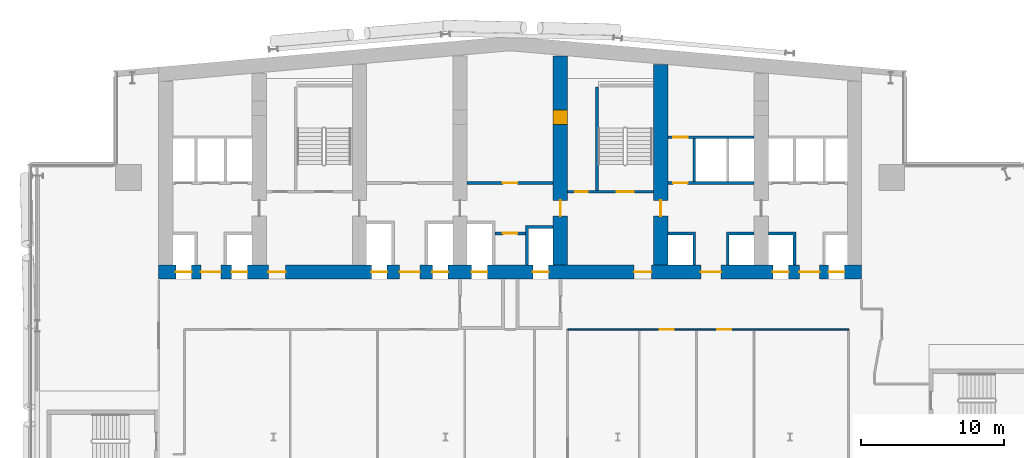
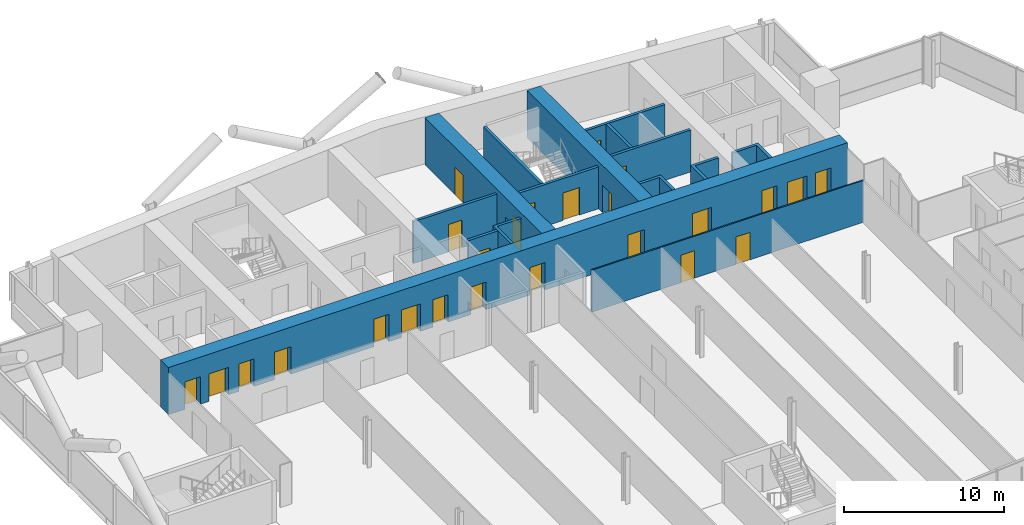
# One storey, part 16 of 25: 25 doors, 15 walls, 25 openings.
"""IFC4 building model written with IfcOpenShell, lengths in metres."""

from ifc_helpers import new_model, si_unit, direction, frame, frame_2d, origin, place, context, subcontext, project, spatial, polyline, rectangle, outline, extrude, material, layer, layer_set, type_object, element, fill, save


model = new_model("IFC4")

# Units and contexts
model_context = context("Model", 3, precision=1e-05, world=origin(), true_north=direction((0.0, 1.0)))
body_context = subcontext(model_context, "Body", "Model", "MODEL_VIEW")
ifc_project = project(units=[si_unit("LENGTHUNIT", "METRE"), si_unit("AREAUNIT", "SQUARE_METRE"), si_unit("VOLUMEUNIT", "CUBIC_METRE"), si_unit("PLANEANGLEUNIT", "RADIAN"), si_unit("MASSUNIT", "GRAM", prefix="KILO")], contexts=[model_context])

# Site, building, storey
site_placement = place(None, origin())
site = spatial("IfcSite", under=ifc_project, at=site_placement, CompositionType="ELEMENT")
building_placement = place(site_placement, origin())
building = spatial("IfcBuilding", under=site, at=building_placement, Name="Wharfspan Tower", CompositionType="ELEMENT")
storey_placement = place(building_placement, frame((0.0, 0.0, 121.899902)))
storey = spatial("IfcBuildingStorey", under=building, at=storey_placement, Name="L28", CompositionType="ELEMENT", Elevation=121.899902)

# Wall, openings, doors
ifc_material_1 = material(Name="Gypsum board on steel studs", Category="steel")
ifc_layer_1 = layer(ifc_material_1, 0.100098)
ifc_layer_set_1 = layer_set([ifc_layer_1], Name="Gypsum board on steel studs")
wall_type_1 = type_object("IfcWallType", Name="Compartment wall 100 EI 60", PredefinedType="PARTITIONING", material=ifc_layer_set_1)
wall_1_placement = place(storey_placement, frame((44.51001, 30.5, 0.0), z_axis=(0.0, 0.0, 1.0), x_axis=(1.0, 0.0, 0.0)))
wall_1 = element("IfcWall", 1, at=wall_1_placement, inside=storey, type_object=wall_type_1, Name="Partition L28.w014", PredefinedType="PARTITIONING", context=body_context, shape_type="SweptSolid", body=[
    extrude(rectangle(XDim=19.590088, YDim=0.100098, at=frame_2d((9.794922, 0.0))), origin(), (0.0, 0.0, 1.0), 3.200195),
])
opening_1_placement = place(wall_1_placement, frame((6.409912, 0.0, 0.0)))
opening_1 = element("IfcOpeningElement", 2, at=opening_1_placement, cuts=wall_1, Name="Opening B4-13", PredefinedType="OPENING", context=body_context, shape_type="SweptSolid", body=[
    extrude(rectangle(XDim=1.0, YDim=2.100098, at=frame_2d((0.5, 1.050049))), frame((0.0, 0.060059, 0.0), z_axis=(0.0, -1.0, 0.0), x_axis=(1.0, 0.0, 0.0)), (0.0, 0.0, 1.0), 0.120117),
])
opening_2_placement = place(wall_1_placement, frame((10.409912, 0.0, 0.0)))
opening_2 = element("IfcOpeningElement", 3, at=opening_2_placement, cuts=wall_1, Name="Opening B4-14", PredefinedType="OPENING", context=body_context, shape_type="SweptSolid", body=[
    extrude(rectangle(XDim=1.0, YDim=2.100098, at=frame_2d((0.5, 1.050049))), frame((0.0, 0.060059, 0.0), z_axis=(0.0, -1.0, 0.0), x_axis=(1.0, 0.0, 0.0)), (0.0, 0.0, 1.0), 0.120117),
])
ifc_material_2 = material(Name="Fire-rated timber door leaf in steel frame", Category="steel")
door_type_1 = type_object("IfcDoorType", Name="Door 1000 FD30S Left", OperationType="SINGLE_SWING_LEFT", PredefinedType="DOOR", material=ifc_material_2)
door_1_placement = place(opening_1_placement, origin())
door_1 = element("IfcDoor", 4, at=door_1_placement, inside=storey, type_object=door_type_1, Name="Door B4-13", OperationType="SINGLE_SWING_LEFT", OverallHeight=2.100098, OverallWidth=1.0, PredefinedType="DOOR", context=body_context, shape_type="SweptSolid", body=[
    extrude(rectangle(XDim=1.0, YDim=2.100098, at=frame_2d((0.5, 1.050049))), frame((0.0, 0.024902, 0.0), z_axis=(0.0, -1.0, 0.0), x_axis=(1.0, 0.0, 0.0)), (0.0, 0.0, 1.0), 0.050049),
])
fill(opening_1, door_1)
door_type_2 = type_object("IfcDoorType", Name="Door 1000 FD30S Right", OperationType="SINGLE_SWING_RIGHT", PredefinedType="DOOR", material=ifc_material_2)
door_2_placement = place(opening_2_placement, origin())
door_2 = element("IfcDoor", 5, at=door_2_placement, inside=storey, type_object=door_type_2, Name="Door B4-14", OperationType="SINGLE_SWING_RIGHT", OverallHeight=2.100098, OverallWidth=1.0, PredefinedType="DOOR", context=body_context, shape_type="SweptSolid", body=[
    extrude(rectangle(XDim=1.0, YDim=2.100098, at=frame_2d((0.5, 1.050049))), frame((0.0, 0.024902, 0.0), z_axis=(0.0, -1.0, 0.0), x_axis=(1.0, 0.0, 0.0)), (0.0, 0.0, 1.0), 0.050049),
])
fill(opening_2, door_2)

# Wall, opening, door
ifc_material_3 = material(Name="Calcium silicate masonry", Category="masonry")
ifc_layer_2 = layer(ifc_material_3, 0.199951)
ifc_layer_set_2 = layer_set([ifc_layer_2], Name="Calcium silicate masonry")
wall_type_2 = type_object("IfcWallType", Name="Core room wall 200", PredefinedType="PARTITIONING", material=ifc_layer_set_2)
wall_2_placement = place(storey_placement, frame((39.43335, 37.199951, 0.0), z_axis=(0.0, 0.0, 1.0), x_axis=(1.0, 0.0, 0.0)))
wall_2 = element("IfcWall", 6, at=wall_2_placement, inside=storey, type_object=wall_type_2, Name="sw:L28:FR4.2", PredefinedType="PARTITIONING", context=body_context, shape_type="SweptSolid", body=[
    extrude(rectangle(XDim=2.133301, YDim=0.199951, at=frame_2d((1.06665, 0.0))), origin(), (0.0, 0.0, 1.0), 3.200195),
])
opening_3_placement = place(wall_2_placement, frame((0.56665, 0.0, 0.0)))
opening_3 = element("IfcOpeningElement", 7, at=opening_3_placement, cuts=wall_2, Name="Opening CD28.4H2", PredefinedType="OPENING", context=body_context, shape_type="SweptSolid", body=[
    extrude(rectangle(XDim=1.0, YDim=2.100098, at=frame_2d((0.5, 1.050049))), frame((0.0, 0.109863, 0.0), z_axis=(0.0, -1.0, 0.0), x_axis=(1.0, 0.0, 0.0)), (0.0, 0.0, 1.0), 0.219971),
])
ifc_material_4 = material(Name="Steel door leaf", Category="steel")
door_type_3 = type_object("IfcDoorType", Name="Core room door 1000x2100", OperationType="SINGLE_SWING_LEFT", PredefinedType="DOOR", material=ifc_material_4)
door_3_placement = place(opening_3_placement, origin())
door_3 = element("IfcDoor", 8, at=door_3_placement, inside=storey, type_object=door_type_3, Name="d:L28:4:fh4.2", OperationType="SINGLE_SWING_RIGHT", OverallHeight=2.100098, OverallWidth=1.0, PredefinedType="DOOR", context=body_context, shape_type="SweptSolid", body=[
    extrude(rectangle(XDim=1.0, YDim=2.100098, at=frame_2d((0.5, 1.050049))), frame((0.0, 0.024902, 0.0), z_axis=(0.0, -1.0, 0.0), x_axis=(1.0, 0.0, 0.0)), (0.0, 0.0, 1.0), 0.050049),
])
fill(opening_3, door_3)

# Wall, openings, doors
ifc_material_5 = material(Name="Concrete C70/85", Category="concrete")
ifc_layer_3 = layer(ifc_material_5, 1.0)
ifc_layer_set_3 = layer_set([ifc_layer_3], Name="Concrete C70/85")
wall_type_3 = type_object("IfcWallType", Name="Core wall 1000 C70/85", PredefinedType="SHEAR", material=ifc_layer_set_3)
wall_3_placement = place(storey_placement, frame((16.0, 34.5, 0.0), z_axis=(0.0, 0.0, 1.0), x_axis=(1.0, 0.0, 0.0)))
wall_3 = element("IfcWall", 9, at=wall_3_placement, inside=storey, type_object=wall_type_3, Name="Core front wall L28", PredefinedType="SHEAR", context=body_context, shape_type="SweptSolid", body=[
    extrude(rectangle(XDim=49.0, YDim=1.0, at=frame_2d((24.5, 0.0))), origin(), (0.0, 0.0, 1.0), 3.600098),
])
opening_4_placement = place(wall_3_placement, frame((1.199951, 0.0, 0.0)))
opening_4 = element("IfcOpeningElement", 10, at=opening_4_placement, cuts=wall_3, Name="Opening LD.LA1.L28", PredefinedType="OPENING", context=body_context, shape_type="SweptSolid", body=[
    extrude(rectangle(XDim=1.100098, YDim=2.100098, at=frame_2d((0.550049, 1.050049))), frame((0.0, 0.51001, 0.0), z_axis=(0.0, -1.0, 0.0), x_axis=(1.0, 0.0, 0.0)), (0.0, 0.0, 1.0), 1.02002),
])
opening_5_placement = place(wall_3_placement, frame((5.083252, 0.0, 0.0)))
opening_5 = element("IfcOpeningElement", 11, at=opening_5_placement, cuts=wall_3, Name="Opening LD.LA2.L28", PredefinedType="OPENING", context=body_context, shape_type="SweptSolid", body=[
    extrude(rectangle(XDim=1.100098, YDim=2.100098, at=frame_2d((0.550049, 1.050049))), frame((0.0, 0.51001, 0.0), z_axis=(0.0, -1.0, 0.0), x_axis=(1.0, 0.0, 0.0)), (0.0, 0.0, 1.0), 1.02002),
])
opening_6_placement = place(wall_3_placement, frame((2.93335, 0.0, 0.0)))
opening_6 = element("IfcOpeningElement", 12, at=opening_6_placement, cuts=wall_3, Name="Opening HD28.1", PredefinedType="OPENING", context=body_context, shape_type="SweptSolid", body=[
    extrude(rectangle(XDim=1.399902, YDim=2.100098, at=frame_2d((0.699951, 1.050049))), frame((0.0, 0.51001, 0.0), z_axis=(0.0, -1.0, 0.0), x_axis=(1.0, 0.0, 0.0)), (0.0, 0.0, 1.0), 1.02002),
])
opening_7_placement = place(wall_3_placement, frame((7.649902, 0.0, 0.0)))
opening_7 = element("IfcOpeningElement", 13, at=opening_7_placement, cuts=wall_3, Name="Opening SV2.L28", PredefinedType="OPENING", context=body_context, shape_type="SweptSolid", body=[
    extrude(rectangle(XDim=1.199951, YDim=2.100098, at=frame_2d((0.600098, 1.050049))), frame((0.0, 0.51001, 0.0), z_axis=(0.0, -1.0, 0.0), x_axis=(1.0, 0.0, 0.0)), (0.0, 0.0, 1.0), 1.02002),
])
opening_8_placement = place(wall_3_placement, frame((14.81665, 0.0, 0.0)))
opening_8 = element("IfcOpeningElement", 14, at=opening_8_placement, cuts=wall_3, Name="Opening LD.SL1.L28", PredefinedType="OPENING", context=body_context, shape_type="SweptSolid", body=[
    extrude(rectangle(XDim=1.100098, YDim=2.100098, at=frame_2d((0.550049, 1.050049))), frame((0.0, 0.51001, 0.0), z_axis=(0.0, -1.0, 0.0), x_axis=(1.0, 0.0, 0.0)), (0.0, 0.0, 1.0), 1.02002),
])
opening_9_placement = place(wall_3_placement, frame((19.083252, 0.0, 0.0)))
opening_9 = element("IfcOpeningElement", 15, at=opening_9_placement, cuts=wall_3, Name="Opening LD.SL2.L28", PredefinedType="OPENING", context=body_context, shape_type="SweptSolid", body=[
    extrude(rectangle(XDim=1.100098, YDim=2.100098, at=frame_2d((0.550049, 1.050049))), frame((0.0, 0.51001, 0.0), z_axis=(0.0, -1.0, 0.0), x_axis=(1.0, 0.0, 0.0)), (0.0, 0.0, 1.0), 1.02002),
])
opening_10_placement = place(wall_3_placement, frame((16.800049, 0.0, 0.0)))
opening_10 = element("IfcOpeningElement", 16, at=opening_10_placement, cuts=wall_3, Name="Opening HD28.3", PredefinedType="OPENING", context=body_context, shape_type="SweptSolid", body=[
    extrude(rectangle(XDim=1.399902, YDim=2.100098, at=frame_2d((0.699951, 1.050049))), frame((0.0, 0.51001, 0.0), z_axis=(0.0, -1.0, 0.0), x_axis=(1.0, 0.0, 0.0)), (0.0, 0.0, 1.0), 1.02002),
])
opening_11_placement = place(wall_3_placement, frame((21.81665, 0.0, 0.0)))
opening_11 = element("IfcOpeningElement", 17, at=opening_11_placement, cuts=wall_3, Name="Opening LD.FF1.L28", PredefinedType="OPENING", context=body_context, shape_type="SweptSolid", body=[
    extrude(rectangle(XDim=1.100098, YDim=2.100098, at=frame_2d((0.550049, 1.050049))), frame((0.0, 0.51001, 0.0), z_axis=(0.0, -1.0, 0.0), x_axis=(1.0, 0.0, 0.0)), (0.0, 0.0, 1.0), 1.02002),
])
opening_12_placement = place(wall_3_placement, frame((26.083252, 0.0, 0.0)))
opening_12 = element("IfcOpeningElement", 18, at=opening_12_placement, cuts=wall_3, Name="Opening LD.FF2.L28", PredefinedType="OPENING", context=body_context, shape_type="SweptSolid", body=[
    extrude(rectangle(XDim=1.100098, YDim=2.100098, at=frame_2d((0.550049, 1.050049))), frame((0.0, 0.51001, 0.0), z_axis=(0.0, -1.0, 0.0), x_axis=(1.0, 0.0, 0.0)), (0.0, 0.0, 1.0), 1.02002),
])
opening_13_placement = place(wall_3_placement, frame((33.149902, 0.0, 0.0)))
opening_13 = element("IfcOpeningElement", 19, at=opening_13_placement, cuts=wall_3, Name="Opening SV5.L28", PredefinedType="OPENING", context=body_context, shape_type="SweptSolid", body=[
    extrude(rectangle(XDim=1.199951, YDim=2.100098, at=frame_2d((0.600098, 1.050049))), frame((0.0, 0.51001, 0.0), z_axis=(0.0, -1.0, 0.0), x_axis=(1.0, 0.0, 0.0)), (0.0, 0.0, 1.0), 1.02002),
])
opening_14_placement = place(wall_3_placement, frame((37.800049, 0.0, 0.0)))
opening_14 = element("IfcOpeningElement", 20, at=opening_14_placement, cuts=wall_3, Name="Opening HD28.6", PredefinedType="OPENING", context=body_context, shape_type="SweptSolid", body=[
    extrude(rectangle(XDim=1.399902, YDim=2.100098, at=frame_2d((0.699951, 1.050049))), frame((0.0, 0.51001, 0.0), z_axis=(0.0, -1.0, 0.0), x_axis=(1.0, 0.0, 0.0)), (0.0, 0.0, 1.0), 1.02002),
])
opening_15_placement = place(wall_3_placement, frame((42.81665, 0.0, 0.0)))
opening_15 = element("IfcOpeningElement", 21, at=opening_15_placement, cuts=wall_3, Name="Opening LD.LA6.L28", PredefinedType="OPENING", context=body_context, shape_type="SweptSolid", body=[
    extrude(rectangle(XDim=1.100098, YDim=2.100098, at=frame_2d((0.550049, 1.050049))), frame((0.0, 0.51001, 0.0), z_axis=(0.0, -1.0, 0.0), x_axis=(1.0, 0.0, 0.0)), (0.0, 0.0, 1.0), 1.02002),
])
opening_16_placement = place(wall_3_placement, frame((46.699951, 0.0, 0.0)))
opening_16 = element("IfcOpeningElement", 22, at=opening_16_placement, cuts=wall_3, Name="Opening LD.LA7.L28", PredefinedType="OPENING", context=body_context, shape_type="SweptSolid", body=[
    extrude(rectangle(XDim=1.100098, YDim=2.100098, at=frame_2d((0.550049, 1.050049))), frame((0.0, 0.51001, 0.0), z_axis=(0.0, -1.0, 0.0), x_axis=(1.0, 0.0, 0.0)), (0.0, 0.0, 1.0), 1.02002),
])
opening_17_placement = place(wall_3_placement, frame((44.666748, 0.0, 0.0)))
opening_17 = element("IfcOpeningElement", 23, at=opening_17_placement, cuts=wall_3, Name="Opening HD28.7", PredefinedType="OPENING", context=body_context, shape_type="SweptSolid", body=[
    extrude(rectangle(XDim=1.399902, YDim=2.100098, at=frame_2d((0.699951, 1.050049))), frame((0.0, 0.51001, 0.0), z_axis=(0.0, -1.0, 0.0), x_axis=(1.0, 0.0, 0.0)), (0.0, 0.0, 1.0), 1.02002),
])
door_type_4 = type_object("IfcDoorType", Name="Hall entry door 1400x2100", OperationType="DOUBLE_DOOR_SINGLE_SWING", PredefinedType="DOOR", material=ifc_material_4)
door_4_placement = place(opening_6_placement, origin())
door_4 = element("IfcDoor", 24, at=door_4_placement, inside=storey, type_object=door_type_4, Name="d:L28:1:hd1", OperationType="DOUBLE_DOOR_SINGLE_SWING", OverallHeight=2.100098, OverallWidth=1.399902, PredefinedType="DOOR", context=body_context, shape_type="SweptSolid", body=[
    extrude(rectangle(XDim=1.399902, YDim=2.100098, at=frame_2d((0.699951, 1.050049))), frame((0.0, 0.024902, 0.0), z_axis=(0.0, -1.0, 0.0), x_axis=(1.0, 0.0, 0.0)), (0.0, 0.0, 1.0), 0.050049),
])
fill(opening_6, door_4)
door_5_placement = place(opening_10_placement, origin())
door_5 = element("IfcDoor", 25, at=door_5_placement, inside=storey, type_object=door_type_4, Name="d:L28:3:hd3", OperationType="DOUBLE_DOOR_SINGLE_SWING", OverallHeight=2.100098, OverallWidth=1.399902, PredefinedType="DOOR", context=body_context, shape_type="SweptSolid", body=[
    extrude(rectangle(XDim=1.399902, YDim=2.100098, at=frame_2d((0.699951, 1.050049))), frame((0.0, 0.024902, 0.0), z_axis=(0.0, -1.0, 0.0), x_axis=(1.0, 0.0, 0.0)), (0.0, 0.0, 1.0), 0.050049),
])
fill(opening_10, door_5)
door_6_placement = place(opening_14_placement, origin())
door_6 = element("IfcDoor", 26, at=door_6_placement, inside=storey, type_object=door_type_4, Name="d:L28:6:hd6", OperationType="DOUBLE_DOOR_SINGLE_SWING", OverallHeight=2.100098, OverallWidth=1.399902, PredefinedType="DOOR", context=body_context, shape_type="SweptSolid", body=[
    extrude(rectangle(XDim=1.399902, YDim=2.100098, at=frame_2d((0.699951, 1.050049))), frame((0.0, 0.024902, 0.0), z_axis=(0.0, -1.0, 0.0), x_axis=(1.0, 0.0, 0.0)), (0.0, 0.0, 1.0), 0.050049),
])
fill(opening_14, door_6)
door_7_placement = place(opening_17_placement, origin())
door_7 = element("IfcDoor", 27, at=door_7_placement, inside=storey, type_object=door_type_4, Name="d:L28:7:hd7", OperationType="DOUBLE_DOOR_SINGLE_SWING", OverallHeight=2.100098, OverallWidth=1.399902, PredefinedType="DOOR", context=body_context, shape_type="SweptSolid", body=[
    extrude(rectangle(XDim=1.399902, YDim=2.100098, at=frame_2d((0.699951, 1.050049))), frame((0.0, 0.024902, 0.0), z_axis=(0.0, -1.0, 0.0), x_axis=(1.0, 0.0, 0.0)), (0.0, 0.0, 1.0), 0.050049),
])
fill(opening_17, door_7)
ifc_material_6 = material(Name="Stainless steel", Category="steel")
door_type_5 = type_object("IfcDoorType", Name="Lift landing door 1100x2100", OperationType="DOUBLE_DOOR_SLIDING", PredefinedType="DOOR", material=ifc_material_6)
door_8_placement = place(opening_4_placement, origin())
door_8 = element("IfcDoor", 28, at=door_8_placement, inside=storey, type_object=door_type_5, Name="Landing door LA1 L28", OperationType="DOUBLE_DOOR_SLIDING", OverallHeight=2.100098, OverallWidth=1.100098, PredefinedType="DOOR", context=body_context, shape_type="SweptSolid", body=[
    extrude(rectangle(XDim=1.100098, YDim=2.100098, at=frame_2d((0.550049, 1.050049))), frame((0.0, 0.024902, 0.0), z_axis=(0.0, -1.0, 0.0), x_axis=(1.0, 0.0, 0.0)), (0.0, 0.0, 1.0), 0.050049),
])
fill(opening_4, door_8)
door_9_placement = place(opening_5_placement, origin())
door_9 = element("IfcDoor", 29, at=door_9_placement, inside=storey, type_object=door_type_5, Name="Landing door LA2 L28", OperationType="DOUBLE_DOOR_SLIDING", OverallHeight=2.100098, OverallWidth=1.100098, PredefinedType="DOOR", context=body_context, shape_type="SweptSolid", body=[
    extrude(rectangle(XDim=1.100098, YDim=2.100098, at=frame_2d((0.550049, 1.050049))), frame((0.0, 0.024902, 0.0), z_axis=(0.0, -1.0, 0.0), x_axis=(1.0, 0.0, 0.0)), (0.0, 0.0, 1.0), 0.050049),
])
fill(opening_5, door_9)
door_10_placement = place(opening_8_placement, origin())
door_10 = element("IfcDoor", 30, at=door_10_placement, inside=storey, type_object=door_type_5, Name="Landing door SL1 L28", OperationType="DOUBLE_DOOR_SLIDING", OverallHeight=2.100098, OverallWidth=1.100098, PredefinedType="DOOR", context=body_context, shape_type="SweptSolid", body=[
    extrude(rectangle(XDim=1.100098, YDim=2.100098, at=frame_2d((0.550049, 1.050049))), frame((0.0, 0.024902, 0.0), z_axis=(0.0, -1.0, 0.0), x_axis=(1.0, 0.0, 0.0)), (0.0, 0.0, 1.0), 0.050049),
])
fill(opening_8, door_10)
door_11_placement = place(opening_9_placement, origin())
door_11 = element("IfcDoor", 31, at=door_11_placement, inside=storey, type_object=door_type_5, Name="Landing door SL2 L28", OperationType="DOUBLE_DOOR_SLIDING", OverallHeight=2.100098, OverallWidth=1.100098, PredefinedType="DOOR", context=body_context, shape_type="SweptSolid", body=[
    extrude(rectangle(XDim=1.100098, YDim=2.100098, at=frame_2d((0.550049, 1.050049))), frame((0.0, 0.024902, 0.0), z_axis=(0.0, -1.0, 0.0), x_axis=(1.0, 0.0, 0.0)), (0.0, 0.0, 1.0), 0.050049),
])
fill(opening_9, door_11)
door_12_placement = place(opening_11_placement, origin())
door_12 = element("IfcDoor", 32, at=door_12_placement, inside=storey, type_object=door_type_5, Name="Landing door FF1 L28", OperationType="DOUBLE_DOOR_SLIDING", OverallHeight=2.100098, OverallWidth=1.100098, PredefinedType="DOOR", context=body_context, shape_type="SweptSolid", body=[
    extrude(rectangle(XDim=1.100098, YDim=2.100098, at=frame_2d((0.550049, 1.050049))), frame((0.0, 0.024902, 0.0), z_axis=(0.0, -1.0, 0.0), x_axis=(1.0, 0.0, 0.0)), (0.0, 0.0, 1.0), 0.050049),
])
fill(opening_11, door_12)
door_13_placement = place(opening_12_placement, origin())
door_13 = element("IfcDoor", 33, at=door_13_placement, inside=storey, type_object=door_type_5, Name="Landing door FF2 L28", OperationType="DOUBLE_DOOR_SLIDING", OverallHeight=2.100098, OverallWidth=1.100098, PredefinedType="DOOR", context=body_context, shape_type="SweptSolid", body=[
    extrude(rectangle(XDim=1.100098, YDim=2.100098, at=frame_2d((0.550049, 1.050049))), frame((0.0, 0.024902, 0.0), z_axis=(0.0, -1.0, 0.0), x_axis=(1.0, 0.0, 0.0)), (0.0, 0.0, 1.0), 0.050049),
])
fill(opening_12, door_13)
door_14_placement = place(opening_15_placement, origin())
door_14 = element("IfcDoor", 34, at=door_14_placement, inside=storey, type_object=door_type_5, Name="Landing door LA6 L28", OperationType="DOUBLE_DOOR_SLIDING", OverallHeight=2.100098, OverallWidth=1.100098, PredefinedType="DOOR", context=body_context, shape_type="SweptSolid", body=[
    extrude(rectangle(XDim=1.100098, YDim=2.100098, at=frame_2d((0.550049, 1.050049))), frame((0.0, 0.024902, 0.0), z_axis=(0.0, -1.0, 0.0), x_axis=(1.0, 0.0, 0.0)), (0.0, 0.0, 1.0), 0.050049),
])
fill(opening_15, door_14)
door_15_placement = place(opening_16_placement, origin())
door_15 = element("IfcDoor", 35, at=door_15_placement, inside=storey, type_object=door_type_5, Name="Landing door LA7 L28", OperationType="DOUBLE_DOOR_SLIDING", OverallHeight=2.100098, OverallWidth=1.100098, PredefinedType="DOOR", context=body_context, shape_type="SweptSolid", body=[
    extrude(rectangle(XDim=1.100098, YDim=2.100098, at=frame_2d((0.550049, 1.050049))), frame((0.0, 0.024902, 0.0), z_axis=(0.0, -1.0, 0.0), x_axis=(1.0, 0.0, 0.0)), (0.0, 0.0, 1.0), 0.050049),
])
fill(opening_16, door_15)
door_type_6 = type_object("IfcDoorType", Name="Stair door 1200x2100", OperationType="SINGLE_SWING_LEFT", PredefinedType="DOOR", material=ifc_material_4)
door_16_placement = place(opening_7_placement, origin())
door_16 = element("IfcDoor", 36, at=door_16_placement, inside=storey, type_object=door_type_6, Name="vd:L28:2", OperationType="SINGLE_SWING_LEFT", OverallHeight=2.100098, OverallWidth=1.199951, PredefinedType="DOOR", context=body_context, shape_type="SweptSolid", body=[
    extrude(rectangle(XDim=1.199951, YDim=2.100098, at=frame_2d((0.600098, 1.050049))), frame((0.0, 0.024902, 0.0), z_axis=(0.0, -1.0, 0.0), x_axis=(1.0, 0.0, 0.0)), (0.0, 0.0, 1.0), 0.050049),
])
fill(opening_7, door_16)
door_17_placement = place(opening_13_placement, origin())
door_17 = element("IfcDoor", 37, at=door_17_placement, inside=storey, type_object=door_type_6, Name="vd:L28:5", OperationType="SINGLE_SWING_LEFT", OverallHeight=2.100098, OverallWidth=1.199951, PredefinedType="DOOR", context=body_context, shape_type="SweptSolid", body=[
    extrude(rectangle(XDim=1.199951, YDim=2.100098, at=frame_2d((0.600098, 1.050049))), frame((0.0, 0.024902, 0.0), z_axis=(0.0, -1.0, 0.0), x_axis=(1.0, 0.0, 0.0)), (0.0, 0.0, 1.0), 0.050049),
])
fill(opening_13, door_17)

wall_4_placement = place(storey_placement, frame((44.0, 35.0, 0.0), z_axis=(0.0, 0.0, 1.0), x_axis=(0.0, 1.0, 0.0)))
wall_4 = element("IfcWall", 38, at=wall_4_placement, inside=storey, type_object=wall_type_3, Name="Core cross wall X5 L28", PredefinedType="SHEAR", context=body_context, shape_type="SweptSolid", body=[
    extrude(rectangle(XDim=14.577148, YDim=1.0, at=frame_2d((7.288574, 0.0))), origin(), (0.0, 0.0, 1.0), 3.600098),
])
opening_18_placement = place(wall_4_placement, frame((3.399902, 0.0, 0.0)))
opening_18 = element("IfcOpeningElement", 39, at=opening_18_placement, cuts=wall_4, Name="Opening CC28.5", PredefinedType="OPENING", context=body_context, shape_type="SweptSolid", body=[
    extrude(rectangle(XDim=1.100098, YDim=2.100098, at=frame_2d((0.550049, 1.050049))), frame((0.0, 0.51001, 0.0), z_axis=(0.0, -1.0, 0.0), x_axis=(1.0, 0.0, 0.0)), (0.0, 0.0, 1.0), 1.02002),
])
opening_19_placement = place(wall_4_placement, frame((9.800049, 0.0, 0.0)))
opening_19 = element("IfcOpeningElement", 40, at=opening_19_placement, cuts=wall_4, Name="Opening CR28.5", PredefinedType="OPENING", context=body_context, shape_type="SweptSolid", body=[
    extrude(rectangle(XDim=1.0, YDim=2.100098, at=frame_2d((0.5, 1.050049))), frame((0.0, 0.51001, 0.0), z_axis=(0.0, -1.0, 0.0), x_axis=(1.0, 0.0, 0.0)), (0.0, 0.0, 1.0), 1.02002),
])
door_type_7 = type_object("IfcDoorType", Name="Core corridor door 1100x2100", OperationType="SINGLE_SWING_LEFT", PredefinedType="DOOR", material=ifc_material_4)
door_18_placement = place(opening_18_placement, origin())
door_18 = element("IfcDoor", 41, at=door_18_placement, inside=storey, type_object=door_type_7, Name="xd:L28:5", OperationType="SINGLE_SWING_LEFT", OverallHeight=2.100098, OverallWidth=1.100098, PredefinedType="DOOR", context=body_context, shape_type="SweptSolid", body=[
    extrude(rectangle(XDim=1.100098, YDim=2.100098, at=frame_2d((0.550049, 1.050049))), frame((0.0, 0.024902, 0.0), z_axis=(0.0, -1.0, 0.0), x_axis=(1.0, 0.0, 0.0)), (0.0, 0.0, 1.0), 0.050049),
])
fill(opening_18, door_18)
door_19_placement = place(opening_19_placement, origin())
door_19 = element("IfcDoor", 42, at=door_19_placement, inside=storey, type_object=door_type_3, Name="xr:L28:5", OperationType="SINGLE_SWING_RIGHT", OverallHeight=2.100098, OverallWidth=1.0, PredefinedType="DOOR", context=body_context, shape_type="SweptSolid", body=[
    extrude(rectangle(XDim=1.0, YDim=2.100098, at=frame_2d((0.5, 1.050049))), frame((0.0, 0.499756, 0.0), z_axis=(0.0, -1.0, 0.0), x_axis=(1.0, 0.0, 0.0)), (0.0, 0.0, 1.0), 0.999512),
])
fill(opening_19, door_19)

# Wall, opening, door
wall_5_placement = place(storey_placement, frame((51.0, 35.0, 0.0), z_axis=(0.0, 0.0, 1.0), x_axis=(0.0, 1.0, 0.0)))
wall_5 = element("IfcWall", 43, at=wall_5_placement, inside=storey, type_object=wall_type_3, Name="Core cross wall X6 L28", PredefinedType="SHEAR", context=body_context, shape_type="SweptSolid", body=[
    extrude(rectangle(XDim=13.9646, YDim=1.0, at=frame_2d((6.982422, 0.0))), origin(), (0.0, 0.0, 1.0), 3.600098),
])
opening_20_placement = place(wall_5_placement, frame((3.399902, 0.0, 0.0)))
opening_20 = element("IfcOpeningElement", 44, at=opening_20_placement, cuts=wall_5, Name="Opening CC28.6", PredefinedType="OPENING", context=body_context, shape_type="SweptSolid", body=[
    extrude(rectangle(XDim=1.100098, YDim=2.100098, at=frame_2d((0.550049, 1.050049))), frame((0.0, 0.51001, 0.0), z_axis=(0.0, -1.0, 0.0), x_axis=(1.0, 0.0, 0.0)), (0.0, 0.0, 1.0), 1.02002),
])
door_20_placement = place(opening_20_placement, origin())
door_20 = element("IfcDoor", 45, at=door_20_placement, inside=storey, type_object=door_type_7, Name="xd:L28:6", OperationType="SINGLE_SWING_RIGHT", OverallHeight=2.100098, OverallWidth=1.100098, PredefinedType="DOOR", context=body_context, shape_type="SweptSolid", body=[
    extrude(rectangle(XDim=1.100098, YDim=2.100098, at=frame_2d((0.550049, 1.050049))), frame((0.0, 0.024902, 0.0), z_axis=(0.0, -1.0, 0.0), x_axis=(1.0, 0.0, 0.0)), (0.0, 0.0, 1.0), 0.050049),
])
fill(opening_20, door_20)

ifc_material_7 = material(Name="Concrete C30/37", Category="concrete")
ifc_layer_4 = layer(ifc_material_7, 0.199951)
ifc_layer_set_4 = layer_set([ifc_layer_4], Name="Concrete C30/37")
wall_type_4 = type_object("IfcWallType", Name="Lift shaft wall 200", PredefinedType="PARTITIONING", material=ifc_layer_set_4)
wall_6_placement = place(storey_placement, frame((37.5, 40.699951, 0.0), z_axis=(0.0, 0.0, 1.0), x_axis=(1.0, 0.0, 0.0)))
wall_6 = element("IfcWall", 46, at=wall_6_placement, inside=storey, type_object=wall_type_4, Name="sw:L28:RF4", PredefinedType="PARTITIONING", context=body_context, shape_type="SweptSolid", body=[
    extrude(rectangle(XDim=6.0, YDim=0.199951, at=frame_2d((3.0, 0.0))), origin(), (0.0, 0.0, 1.0), 3.200195),
])
opening_21_placement = place(wall_6_placement, frame((2.5, 0.0, 0.0)))
opening_21 = element("IfcOpeningElement", 47, at=opening_21_placement, cuts=wall_6, Name="Opening CD28.4S", PredefinedType="OPENING", context=body_context, shape_type="SweptSolid", body=[
    extrude(rectangle(XDim=1.0, YDim=2.100098, at=frame_2d((0.5, 1.050049))), frame((0.0, 0.109863, 0.0), z_axis=(0.0, -1.0, 0.0), x_axis=(1.0, 0.0, 0.0)), (0.0, 0.0, 1.0), 0.219971),
])
door_21_placement = place(opening_21_placement, origin())
door_21 = element("IfcDoor", 48, at=door_21_placement, inside=storey, type_object=door_type_3, Name="d:L28:4:sf", OperationType="SINGLE_SWING_LEFT", OverallHeight=2.100098, OverallWidth=1.0, PredefinedType="DOOR", context=body_context, shape_type="SweptSolid", body=[
    extrude(rectangle(XDim=1.0, YDim=2.100098, at=frame_2d((0.5, 1.050049))), frame((0.0, 0.024902, 0.0), z_axis=(0.0, -1.0, 0.0), x_axis=(1.0, 0.0, 0.0)), (0.0, 0.0, 1.0), 0.050049),
])
fill(opening_21, door_21)

# Wall
wall_7_placement = place(storey_placement, origin())
element("IfcWall", 49, at=wall_7_placement, inside=storey, type_object=wall_type_4, Name="sw:L28:FM4.0", PredefinedType="PARTITIONING", context=body_context, shape_type="SweptSolid", body=[
    extrude(outline(polyline([(41.56665, 37.75), (41.766602, 37.75), (43.5, 37.75), (43.5, 37.550049), (41.766602, 37.550049), (41.766602, 35.0), (41.56665, 35.0), (41.56665, 37.75)])), origin(), (0.0, 0.0, 1.0), 3.200195),
])

# Wall, opening, door
wall_8_placement = place(storey_placement, frame((51.5, 40.699951, 0.0), z_axis=(0.0, 0.0, 1.0), x_axis=(1.0, 0.0, 0.0)))
wall_8 = element("IfcWall", 50, at=wall_8_placement, inside=storey, type_object=wall_type_4, Name="sw:L28:RF6", PredefinedType="PARTITIONING", context=body_context, shape_type="SweptSolid", body=[
    extrude(rectangle(XDim=6.0, YDim=0.199951, at=frame_2d((3.0, 0.0))), origin(), (0.0, 0.0, 1.0), 3.200195),
])
opening_22_placement = place(wall_8_placement, frame((0.366699, 0.0, 0.0)))
opening_22 = element("IfcOpeningElement", 51, at=opening_22_placement, cuts=wall_8, Name="Opening CD28.6R1", PredefinedType="OPENING", context=body_context, shape_type="SweptSolid", body=[
    extrude(rectangle(XDim=1.0, YDim=2.100098, at=frame_2d((0.5, 1.050049))), frame((0.0, 0.109863, 0.0), z_axis=(0.0, -1.0, 0.0), x_axis=(1.0, 0.0, 0.0)), (0.0, 0.0, 1.0), 0.219971),
])
door_22_placement = place(opening_22_placement, origin())
door_22 = element("IfcDoor", 52, at=door_22_placement, inside=storey, type_object=door_type_3, Name="d:L28:6:rd6.1", OperationType="SINGLE_SWING_RIGHT", OverallHeight=2.100098, OverallWidth=1.0, PredefinedType="DOOR", context=body_context, shape_type="SweptSolid", body=[
    extrude(rectangle(XDim=1.0, YDim=2.100098, at=frame_2d((0.5, 1.050049))), frame((0.0, 0.024902, 0.0), z_axis=(0.0, -1.0, 0.0), x_axis=(1.0, 0.0, 0.0)), (0.0, 0.0, 1.0), 0.050049),
])
fill(opening_22, door_22)

wall_9_placement = place(storey_placement, frame((51.5, 43.899902, 0.0), z_axis=(0.0, 0.0, 1.0), x_axis=(1.0, 0.0, 0.0)))
wall_9 = element("IfcWall", 53, at=wall_9_placement, inside=storey, type_object=wall_type_4, Name="sw:L28:RR6", PredefinedType="PARTITIONING", context=body_context, shape_type="SweptSolid", body=[
    extrude(rectangle(XDim=6.0, YDim=0.199951, at=frame_2d((3.0, 0.0))), origin(), (0.0, 0.0, 1.0), 3.200195),
])
opening_23_placement = place(wall_9_placement, frame((0.366699, 0.0, 0.0)))
opening_23 = element("IfcOpeningElement", 54, at=opening_23_placement, cuts=wall_9, Name="Opening CD28.6S1", PredefinedType="OPENING", context=body_context, shape_type="SweptSolid", body=[
    extrude(rectangle(XDim=1.0, YDim=2.100098, at=frame_2d((0.5, 1.050049))), frame((0.0, 0.109863, 0.0), z_axis=(0.0, -1.0, 0.0), x_axis=(1.0, 0.0, 0.0)), (0.0, 0.0, 1.0), 0.219971),
])
door_23_placement = place(opening_23_placement, origin())
door_23 = element("IfcDoor", 55, at=door_23_placement, inside=storey, type_object=door_type_3, Name="d:L28:6:rs6.1", OperationType="SINGLE_SWING_LEFT", OverallHeight=2.100098, OverallWidth=1.0, PredefinedType="DOOR", context=body_context, shape_type="SweptSolid", body=[
    extrude(rectangle(XDim=1.0, YDim=2.100098, at=frame_2d((0.5, 1.050049))), frame((0.0, 0.024902, 0.0), z_axis=(0.0, -1.0, 0.0), x_axis=(1.0, 0.0, 0.0)), (0.0, 0.0, 1.0), 0.050049),
])
fill(opening_23, door_23)

# Walls
wall_10_placement = place(storey_placement, origin())
element("IfcWall", 56, at=wall_10_placement, inside=storey, type_object=wall_type_4, Name="sw:L28:FM6.0", PredefinedType="PARTITIONING", context=body_context, shape_type="SweptSolid", body=[
    extrude(outline(polyline([(53.233398, 37.100098), (51.5, 37.100098), (51.5, 37.300049), (53.233398, 37.300049), (53.43335, 37.300049), (53.43335, 35.0), (53.233398, 35.0), (53.233398, 37.100098)])), origin(), (0.0, 0.0, 1.0), 3.200195),
])
wall_11_placement = place(storey_placement, origin())
element("IfcWall", 57, at=wall_11_placement, inside=storey, type_object=wall_type_4, Name="sw:L28:FM6.1", PredefinedType="PARTITIONING", context=body_context, shape_type="SweptSolid", body=[
    extrude(outline(polyline([(55.56665, 37.300049), (55.766602, 37.300049), (57.5, 37.300049), (57.5, 37.100098), (55.766602, 37.100098), (55.766602, 35.0), (55.56665, 35.0), (55.56665, 37.300049)])), origin(), (0.0, 0.0, 1.0), 3.200195),
])
wall_12_placement = place(storey_placement, origin())
element("IfcWall", 58, at=wall_12_placement, inside=storey, type_object=wall_type_4, Name="sw:L28:RM6.0", PredefinedType="PARTITIONING", context=body_context, shape_type="SweptSolid", body=[
    extrude(outline(polyline([(53.233398, 40.800049), (53.233398, 43.800049), (53.43335, 43.800049), (53.43335, 40.800049), (53.233398, 40.800049)])), origin(), (0.0, 0.0, 1.0), 3.200195),
])
wall_13_placement = place(storey_placement, origin())
element("IfcWall", 59, at=wall_13_placement, inside=storey, type_object=wall_type_4, Name="sw:L28:FM7.0", PredefinedType="PARTITIONING", context=body_context, shape_type="SweptSolid", body=[
    extrude(outline(polyline([(60.233398, 37.100098), (58.5, 37.100098), (58.5, 37.300049), (60.233398, 37.300049), (60.43335, 37.300049), (60.43335, 35.0), (60.233398, 35.0), (60.233398, 37.100098)])), origin(), (0.0, 0.0, 1.0), 3.200195),
])

# Wall, openings, doors
ifc_material_8 = material(Name="Concrete C40/50", Category="concrete")
ifc_layer_5 = layer(ifc_material_8, 0.199951)
ifc_layer_set_5 = layer_set([ifc_layer_5], Name="Concrete C40/50")
wall_type_5 = type_object("IfcWallType", Name="Stair shaft wall 200", PredefinedType="SHEAR", material=ifc_layer_set_5)
wall_14_placement = place(storey_placement, frame((44.5, 40.100098, 0.0), z_axis=(0.0, 0.0, 1.0), x_axis=(1.0, 0.0, 0.0)))
wall_14 = element("IfcWall", 60, at=wall_14_placement, inside=storey, type_object=wall_type_5, Name="ST2 stair enclosure wall L28", PredefinedType="SHEAR", context=body_context, shape_type="SweptSolid", body=[
    extrude(rectangle(XDim=6.0, YDim=0.199951, at=frame_2d((3.0, 0.0))), origin(), (0.0, 0.0, 1.0), 3.200195),
])
opening_24_placement = place(wall_14_placement, frame((3.425049, 0.0, 0.0)))
opening_24 = element("IfcOpeningElement", 61, at=opening_24_placement, cuts=wall_14, Name="Opening SD5.L28", PredefinedType="OPENING", context=body_context, shape_type="SweptSolid", body=[
    extrude(rectangle(XDim=1.199951, YDim=2.100098, at=frame_2d((0.600098, 1.050049))), frame((0.0, 0.109863, 0.0), z_axis=(0.0, -1.0, 0.0), x_axis=(1.0, 0.0, 0.0)), (0.0, 0.0, 1.0), 0.219971),
])
opening_25_placement = place(wall_14_placement, frame((0.524902, 0.0, 0.0)))
opening_25 = element("IfcOpeningElement", 62, at=opening_25_placement, cuts=wall_14, Name="Opening CD28.5R", PredefinedType="OPENING", context=body_context, shape_type="SweptSolid", body=[
    extrude(rectangle(XDim=0.899902, YDim=2.100098, at=frame_2d((0.449951, 1.050049))), frame((0.0, 0.109863, 0.0), z_axis=(0.0, -1.0, 0.0), x_axis=(1.0, 0.0, 0.0)), (0.0, 0.0, 1.0), 0.219971),
])
door_24_placement = place(opening_25_placement, origin())
door_24 = element("IfcDoor", 63, at=door_24_placement, inside=storey, type_object=door_type_3, Name="rk:L28:5", OperationType="SINGLE_SWING_LEFT", OverallHeight=2.100098, OverallWidth=0.899902, PredefinedType="DOOR", context=body_context, shape_type="SweptSolid", body=[
    extrude(rectangle(XDim=0.899902, YDim=2.100098, at=frame_2d((0.449951, 1.050049))), frame((0.0, 0.024902, 0.0), z_axis=(0.0, -1.0, 0.0), x_axis=(1.0, 0.0, 0.0)), (0.0, 0.0, 1.0), 0.050049),
])
fill(opening_25, door_24)
door_25_placement = place(opening_24_placement, origin())
door_25 = element("IfcDoor", 64, at=door_25_placement, inside=storey, type_object=door_type_6, Name="sd:L28:5", OperationType="SINGLE_SWING_RIGHT", OverallHeight=2.100098, OverallWidth=1.199951, PredefinedType="DOOR", context=body_context, shape_type="SweptSolid", body=[
    extrude(rectangle(XDim=1.199951, YDim=2.100098, at=frame_2d((0.600098, 1.050049))), frame((0.0, 0.024902, 0.0), z_axis=(0.0, -1.0, 0.0), x_axis=(1.0, 0.0, 0.0)), (0.0, 0.0, 1.0), 0.050049),
])
fill(opening_24, door_25)

# Wall
wall_15_placement = place(storey_placement, frame((46.550049, 40.199951, 0.0), z_axis=(0.0, 0.0, 1.0), x_axis=(0.0, 1.0, 0.0)))
element("IfcWall", 65, at=wall_15_placement, inside=storey, type_object=wall_type_5, Name="ST2 stair enclosure wall L28", PredefinedType="SHEAR", context=body_context, shape_type="SweptSolid", body=[
    extrude(rectangle(XDim=7.199951, YDim=0.199951, at=frame_2d((3.600098, 0.0))), origin(), (0.0, 0.0, 1.0), 3.200195),
])

save(model, "model.ifc")
